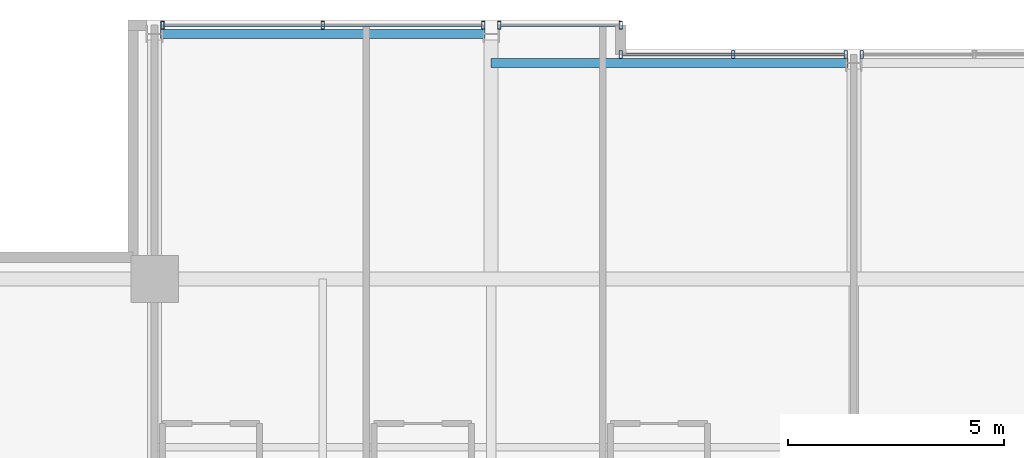
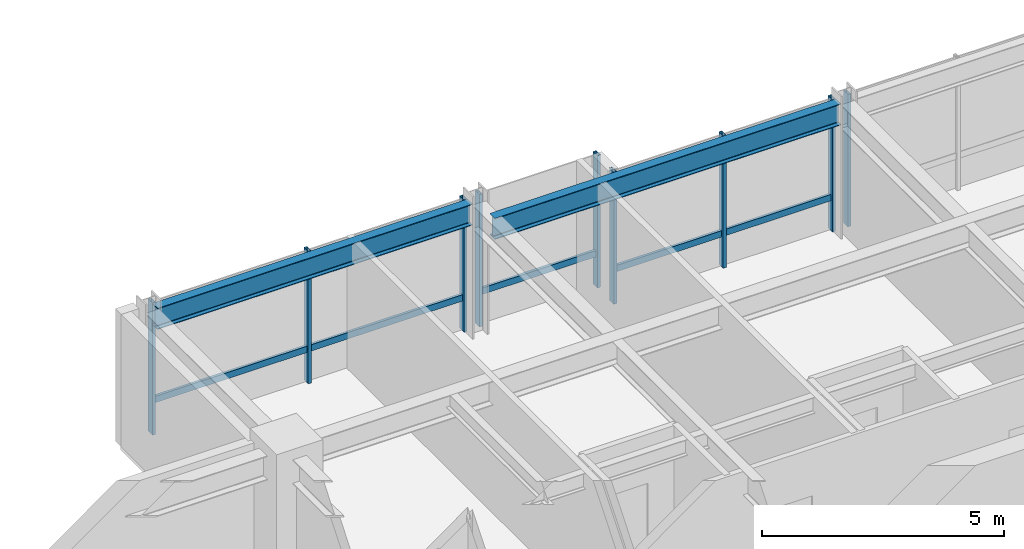
# One storey, part 20 of 33: 12 members, 2 beams, 4 elements without a shape of their own.
"""IFC4 building model written with IfcOpenShell, lengths in metres."""

from ifc_helpers import new_model, si_unit, direction, frame, origin, origin_2d, place, context, subcontext, project, spatial, hollow_rectangle, i_section, extrude, material, layer, layer_set, material_profile, profile_set, type_object, element, aggregate, save


model = new_model("IFC4")

# Units and contexts
model_context = context("Model", 3, precision=1e-05, world=origin(), true_north=direction((0.0, 1.0)))
body_context = subcontext(model_context, "Body", "Model", "MODEL_VIEW")
ifc_project = project(units=[si_unit("LENGTHUNIT", "METRE"), si_unit("AREAUNIT", "SQUARE_METRE"), si_unit("VOLUMEUNIT", "CUBIC_METRE"), si_unit("PLANEANGLEUNIT", "RADIAN"), si_unit("MASSUNIT", "GRAM", prefix="KILO")], contexts=[model_context])

# Site, building, storey
site_placement = place(None, origin())
site = spatial("IfcSite", under=ifc_project, at=site_placement, CompositionType="ELEMENT")
building_placement = place(site_placement, origin())
building = spatial("IfcBuilding", under=site, at=building_placement, Name="Drelvath Grand Hotel", CompositionType="ELEMENT")
storey_placement = place(building_placement, frame((0.0, 0.0, 212.300048828125)))
storey = spatial("IfcBuildingStorey", under=building, at=storey_placement, Name="L55", CompositionType="ELEMENT", Elevation=212.300048828125)

# Curtain wall, member
ifc_material_1 = material(Name="Platinum-Mist Anodised Aluminium Frame", Category="aluminium")
ifc_layer = layer(ifc_material_1, 0.199951171875)
ifc_layer_set = layer_set([ifc_layer], Name="Platinum-Mist Anodised Aluminium Frame")
curtain_wall_type = type_object("IfcCurtainWallType", Name="Stick Curtain Wall CW-05 Platinum Mist High-Rise", PredefinedType="NOTDEFINED", material=ifc_layer_set)
curtain_wall_1_placement = place(storey_placement, origin())
curtain_wall_1 = element("IfcCurtainWall", 1, at=curtain_wall_1_placement, inside=storey, type_object=curtain_wall_type, Name="L55 CW-05 Curtain Wall CW05-L55-NW2", PredefinedType="NOTDEFINED")
ifc_material_profile_1 = material_profile(ifc_material_1, hollow_rectangle(XDim=0.06494140625, YDim=0.159912109375, WallThickness=0.00390625, at=origin_2d()), Name="HSS160X65X4")
ifc_profile_set_1 = profile_set([ifc_material_profile_1], Name="Platinum-Mist Anodised Aluminium Frame")
member_type_1 = type_object("IfcMemberType", Name="Curtain Wall Horizontal Transom CW-05 HSS160X65X4", PredefinedType="USERDEFINED", material=ifc_profile_set_1)
member_1_placement = place(storey_placement, frame((-15.974609375, 49.080078125, 0.8349609375), z_axis=(1.0, 0.0, 0.0), x_axis=(0.0, 1.0, 0.0)))
member_1 = element("IfcMember", 2, at=member_1_placement, type_object=member_type_1, Name="CW05-L55-NW2 Sill Transom", ObjectType="TRANSOM", PredefinedType="USERDEFINED", context=body_context, shape_type="SweptSolid", body=[
    extrude(hollow_rectangle(XDim=0.06494140625, YDim=0.159912109375, WallThickness=0.00390625, at=origin_2d()), origin(), (0.0, 0.0, 1.0), 7.349365234375),
])

curtain_wall_2_placement = place(storey_placement, origin())
curtain_wall_2 = element("IfcCurtainWall", 3, at=curtain_wall_2_placement, inside=storey, type_object=curtain_wall_type, Name="L55 CW-05 Curtain Wall CW05-L55-NW3", PredefinedType="NOTDEFINED")
member_2_placement = place(storey_placement, frame((-8.1748046875, 49.080078125, 0.8349609375), z_axis=(1.0, 0.0, 0.0), x_axis=(0.0, 1.0, 0.0)))
member_2 = element("IfcMember", 4, at=member_2_placement, type_object=member_type_1, Name="CW05-L55-NW3 Sill Transom", ObjectType="TRANSOM", PredefinedType="USERDEFINED", context=body_context, shape_type="SweptSolid", body=[
    extrude(hollow_rectangle(XDim=0.06494140625, YDim=0.159912109375, WallThickness=0.00390625, at=origin_2d()), origin(), (0.0, 0.0, 1.0), 2.73486328125),
])

curtain_wall_3_placement = place(storey_placement, origin())
curtain_wall_3 = element("IfcCurtainWall", 5, at=curtain_wall_3_placement, inside=storey, type_object=curtain_wall_type, Name="L55 CW-05 Curtain Wall CW05-L55-NM1", PredefinedType="NOTDEFINED")
member_3_placement = place(storey_placement, frame((-5.360107421875, 48.39990234375, 0.8349609375), z_axis=(1.0, 0.0, 0.0), x_axis=(0.0, 1.0, 0.0)))
member_3 = element("IfcMember", 6, at=member_3_placement, type_object=member_type_1, Name="CW05-L55-NM1 Sill Transom", ObjectType="TRANSOM", PredefinedType="USERDEFINED", context=body_context, shape_type="SweptSolid", body=[
    extrude(hollow_rectangle(XDim=0.06494140625, YDim=0.159912109375, WallThickness=0.00390625, at=origin_2d()), origin(), (0.0, 0.0, 1.0), 5.134765625),
])

# Member
ifc_material_profile_2 = material_profile(ifc_material_1, hollow_rectangle(XDim=0.074951171875, YDim=0.179931640625, WallThickness=0.0048828125, at=origin_2d()), Name="HSS180X75X5")
ifc_profile_set_2 = profile_set([ifc_material_profile_2], Name="Platinum-Mist Anodised Aluminium Frame")
member_type_2 = type_object("IfcMemberType", Name="Curtain Wall Vertical Mullion CW-05 HSS180X75X5", PredefinedType="MULLION", material=ifc_profile_set_2)
member_4_placement = place(storey_placement, frame((-16.0146484375, 49.080078125, 0.0), z_axis=(0.0, 0.0, 1.0), x_axis=(1.0, 0.0, 0.0)))
member_4 = element("IfcMember", 7, at=member_4_placement, type_object=member_type_2, Name="CW05-L55-NW2 Mullion 1", PredefinedType="MULLION", context=body_context, shape_type="SweptSolid", body=[
    extrude(hollow_rectangle(XDim=0.074951171875, YDim=0.179931640625, WallThickness=0.0048828125, at=origin_2d()), origin(), (0.0, 0.0, 1.0), 3.33984375),
])

member_5_placement = place(storey_placement, frame((-12.300048828125, 49.080078125, 0.0), z_axis=(0.0, 0.0, 1.0), x_axis=(1.0, 0.0, 0.0)))
member_5 = element("IfcMember", 8, at=member_5_placement, type_object=member_type_2, Name="CW05-L55-NW2 Mullion 2", PredefinedType="MULLION", context=body_context, shape_type="SweptSolid", body=[
    extrude(hollow_rectangle(XDim=0.074951171875, YDim=0.179931640625, WallThickness=0.0048828125, at=origin_2d()), origin(), (0.0, 0.0, 1.0), 3.33984375),
])

member_6_placement = place(storey_placement, frame((-8.585205078125, 49.080078125, 0.0), z_axis=(0.0, 0.0, 1.0), x_axis=(1.0, 0.0, 0.0)))
member_6 = element("IfcMember", 9, at=member_6_placement, type_object=member_type_2, Name="CW05-L55-NW2 Mullion 3", PredefinedType="MULLION", context=body_context, shape_type="SweptSolid", body=[
    extrude(hollow_rectangle(XDim=0.074951171875, YDim=0.179931640625, WallThickness=0.0048828125, at=origin_2d()), origin(), (0.0, 0.0, 1.0), 3.33984375),
])

aggregate(curtain_wall_1, [member_4, member_5, member_6, member_1])

member_7_placement = place(storey_placement, frame((-8.214599609375, 49.080078125, 0.0), z_axis=(0.0, 0.0, 1.0), x_axis=(1.0, 0.0, 0.0)))
member_7 = element("IfcMember", 10, at=member_7_placement, type_object=member_type_2, Name="CW05-L55-NW3 Mullion 1", PredefinedType="MULLION", context=body_context, shape_type="SweptSolid", body=[
    extrude(hollow_rectangle(XDim=0.074951171875, YDim=0.179931640625, WallThickness=0.0048828125, at=origin_2d()), origin(), (0.0, 0.0, 1.0), 3.33984375),
])

member_8_placement = place(storey_placement, frame((-5.39990234375, 49.080078125, 0.0), z_axis=(0.0, 0.0, 1.0), x_axis=(1.0, 0.0, 0.0)))
member_8 = element("IfcMember", 11, at=member_8_placement, type_object=member_type_2, Name="CW05-L55-NW3 Mullion 2", PredefinedType="MULLION", context=body_context, shape_type="SweptSolid", body=[
    extrude(hollow_rectangle(XDim=0.074951171875, YDim=0.179931640625, WallThickness=0.0048828125, at=origin_2d()), origin(), (0.0, 0.0, 1.0), 3.33984375),
])

aggregate(curtain_wall_2, [member_7, member_8, member_2])

member_9_placement = place(storey_placement, frame((-5.39990234375, 48.39990234375, 0.0), z_axis=(0.0, 0.0, 1.0), x_axis=(1.0, 0.0, 0.0)))
member_9 = element("IfcMember", 12, at=member_9_placement, type_object=member_type_2, Name="CW05-L55-NM1 Mullion 1", PredefinedType="MULLION", context=body_context, shape_type="SweptSolid", body=[
    extrude(hollow_rectangle(XDim=0.074951171875, YDim=0.179931640625, WallThickness=0.0048828125, at=origin_2d()), origin(), (0.0, 0.0, 1.0), 3.33984375),
])

member_10_placement = place(storey_placement, frame((-2.792724609375, 48.39990234375, 0.0), z_axis=(0.0, 0.0, 1.0), x_axis=(1.0, 0.0, 0.0)))
member_10 = element("IfcMember", 13, at=member_10_placement, type_object=member_type_2, Name="CW05-L55-NM1 Mullion 2", PredefinedType="MULLION", context=body_context, shape_type="SweptSolid", body=[
    extrude(hollow_rectangle(XDim=0.074951171875, YDim=0.179931640625, WallThickness=0.0048828125, at=origin_2d()), origin(), (0.0, 0.0, 1.0), 3.33984375),
])

member_11_placement = place(storey_placement, frame((-0.185302734375, 48.39990234375, 0.0), z_axis=(0.0, 0.0, 1.0), x_axis=(1.0, 0.0, 0.0)))
member_11 = element("IfcMember", 14, at=member_11_placement, type_object=member_type_2, Name="CW05-L55-NM1 Mullion 3", PredefinedType="MULLION", context=body_context, shape_type="SweptSolid", body=[
    extrude(hollow_rectangle(XDim=0.074951171875, YDim=0.179931640625, WallThickness=0.0048828125, at=origin_2d()), origin(), (0.0, 0.0, 1.0), 3.33984375),
])

aggregate(curtain_wall_3, [member_9, member_10, member_11, member_3])

# Curtain wall, member
curtain_wall_4_placement = place(storey_placement, origin())
curtain_wall_4 = element("IfcCurtainWall", 15, at=curtain_wall_4_placement, inside=storey, type_object=curtain_wall_type, Name="L55 CW-05 Curtain Wall CW05-L55-NM2", PredefinedType="NOTDEFINED")
member_12_placement = place(storey_placement, frame((0.185302734375, 48.39990234375, 0.0), z_axis=(0.0, 0.0, 1.0), x_axis=(1.0, 0.0, 0.0)))
member_12 = element("IfcMember", 16, at=member_12_placement, type_object=member_type_2, Name="CW05-L55-NM2 Mullion 1", PredefinedType="MULLION", context=body_context, shape_type="SweptSolid", body=[
    extrude(hollow_rectangle(XDim=0.074951171875, YDim=0.179931640625, WallThickness=0.0048828125, at=origin_2d()), origin(), (0.0, 0.0, 1.0), 3.33984375),
])
aggregate(curtain_wall_4, [member_12])

# Beams
ifc_material_2 = material(Name="Steel ASTM A992 Gr 50", Category="steel")
ifc_material_profile_3 = material_profile(ifc_material_2, i_section(OverallWidth=0.210205078125, OverallDepth=0.53662109375, WebThickness=0.010986328125, FlangeThickness=0.017333984375, FilletRadius=0.01806640625, at=origin_2d()), Name="W21X68")
ifc_profile_set_3 = profile_set([ifc_material_profile_3], Name="Steel ASTM A992 Gr 50")
beam_type = type_object("IfcBeamType", Name="Perimeter Spandrel Beam W21X68", PredefinedType="SPANDREL", material=ifc_profile_set_3)
beam_1_placement = place(storey_placement, frame((-16.06005859375, 48.8798828125, 3.071533203125), z_axis=(1.0, 0.0, 0.0), x_axis=(0.0, 1.0, 0.0)))
element("IfcBeam", 17, at=beam_1_placement, inside=storey, type_object=beam_type, Name="L55 Spandrel North W", PredefinedType="SPANDREL", context=body_context, shape_type="SweptSolid", body=[
    extrude(i_section(OverallWidth=0.210205078125, OverallDepth=0.53662109375, WebThickness=0.010986328125, FlangeThickness=0.017333984375, FilletRadius=0.01806640625, at=origin_2d()), origin(), (0.0, 0.0, 1.0), 7.52001953125),
])
beam_2_placement = place(storey_placement, frame((-8.39990234375, 48.199951171875, 3.071533203125), z_axis=(1.0, 0.0, 0.0), x_axis=(0.0, 1.0, 0.0)))
element("IfcBeam", 18, at=beam_2_placement, inside=storey, type_object=beam_type, Name="L55 Spandrel North Mid W", PredefinedType="SPANDREL", context=body_context, shape_type="SweptSolid", body=[
    extrude(i_section(OverallWidth=0.210205078125, OverallDepth=0.53662109375, WebThickness=0.010986328125, FlangeThickness=0.017333984375, FilletRadius=0.01806640625, at=origin_2d()), origin(), (0.0, 0.0, 1.0), 8.260009765625),
])

save(model, "model.ifc")
